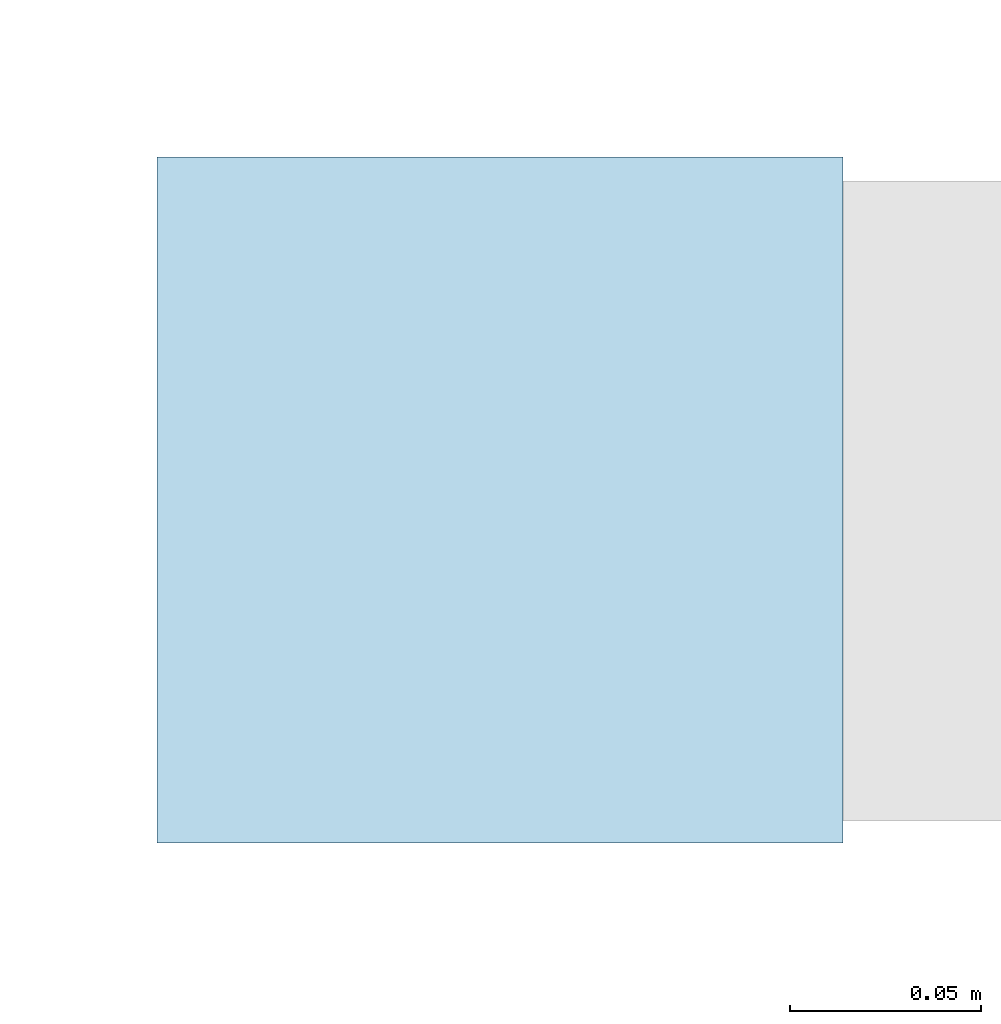
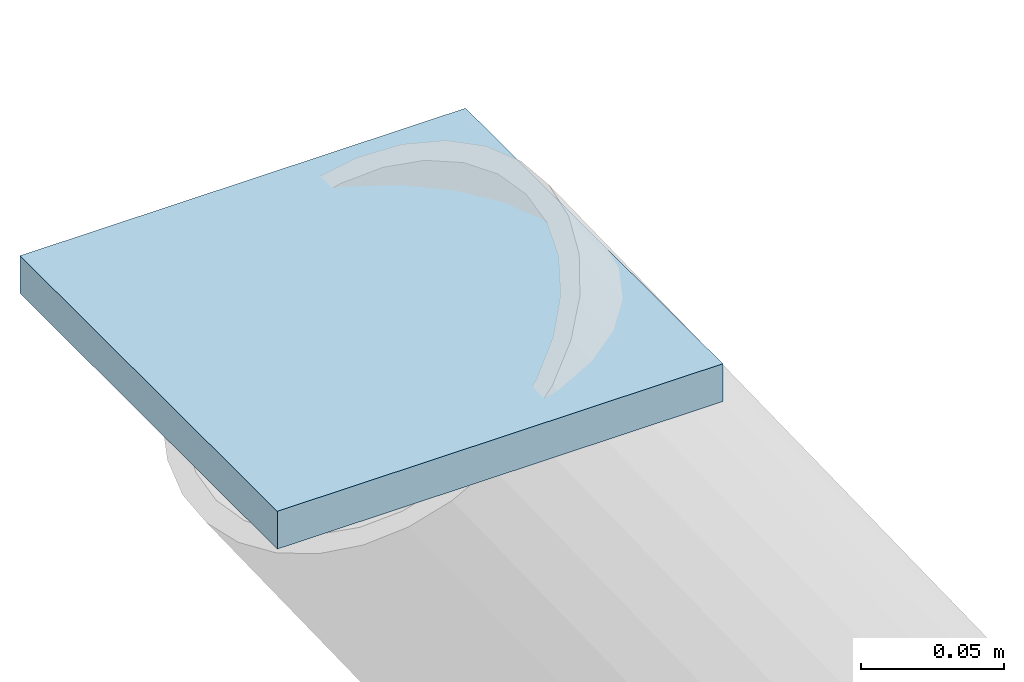
# One storey, part 61 of 72: 1 plate.
"""IFC4 building model written with IfcOpenShell, lengths in metres."""

from ifc_helpers import new_model, si_unit, direction, frame, origin, origin_2d, place, context, subcontext, project, spatial, rectangle, extrude, material, layer, layer_set, type_object, element, save


model = new_model("IFC4")

# Units and contexts
model_context = context("Model", 3, precision=1e-05, world=origin(), true_north=direction((0.0, 1.0)))
body_context = subcontext(model_context, "Body", "Model", "MODEL_VIEW")
ifc_project = project(units=[si_unit("LENGTHUNIT", "METRE"), si_unit("AREAUNIT", "SQUARE_METRE"), si_unit("VOLUMEUNIT", "CUBIC_METRE"), si_unit("PLANEANGLEUNIT", "RADIAN"), si_unit("MASSUNIT", "GRAM", prefix="KILO")], contexts=[model_context])

# Site, building, storey
site_placement = place(None, origin())
site = spatial("IfcSite", under=ifc_project, at=site_placement, CompositionType="ELEMENT")
building_placement = place(site_placement, origin())
building = spatial("IfcBuilding", under=site, at=building_placement, Name="Tenunan Teduh Sports Hall", CompositionType="ELEMENT")
storey_placement = place(building_placement, frame((0.0, 0.0, 15.0)))
storey = spatial("IfcBuildingStorey", under=building, at=storey_placement, Name="L03", CompositionType="ELEMENT", Elevation=15.0)

# Plate
ifc_material = material(Name="Steel S355", Category="steel")
ifc_layer = layer(ifc_material, 0.01611328125)
ifc_layer_set = layer_set([ifc_layer], Name="Steel S355")
plate_type = type_object("IfcPlateType", Name="PLT-CAP-180", PredefinedType="SHEET", material=ifc_layer_set)
plate_placement = place(storey_placement, frame((4.60009765625, 110.0, 3.419921875), z_axis=(0.0, 0.0, 1.0), x_axis=(1.0, 0.0, 0.0)))
element("IfcPlate", 1, at=plate_placement, inside=storey, type_object=plate_type, Name="PLT-CAP-L03-018", PredefinedType="SHEET", context=body_context, shape_type="SweptSolid", body=[
    extrude(rectangle(XDim=0.179931640625, YDim=0.179931640625, at=origin_2d()), origin(), (0.0, 0.0, 1.0), 0.01611328125),
])

save(model, "model.ifc")
